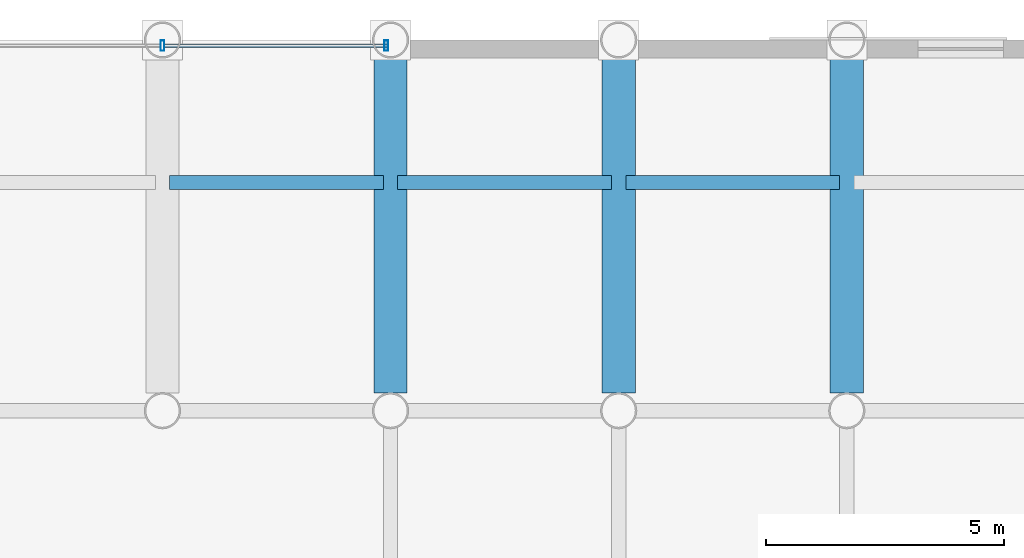
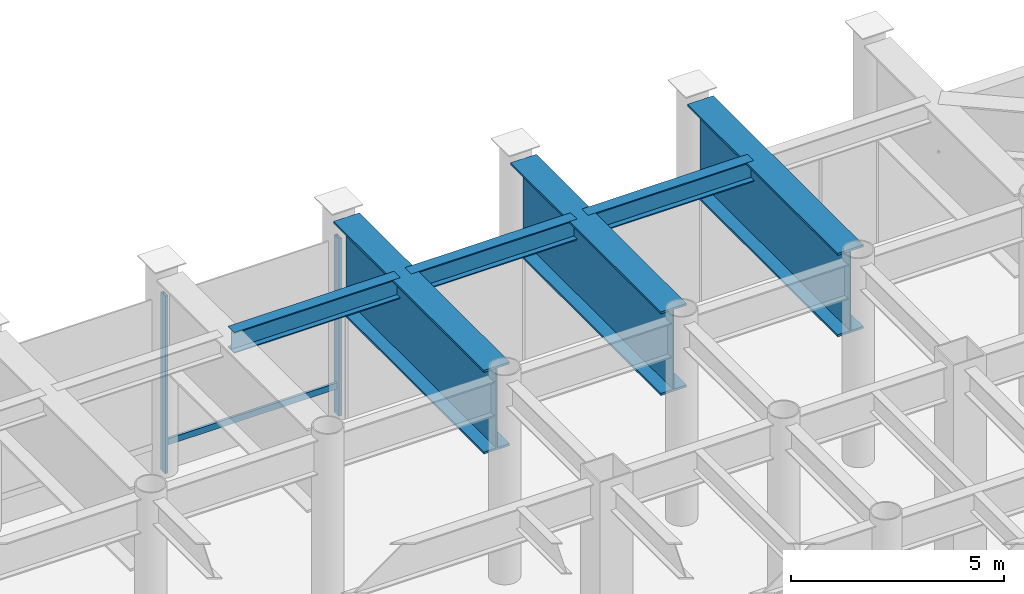
# One storey, part 13 of 26: 6 beams, 3 members, 1 element without a shape of its own.
"""IFC4 building model written with IfcOpenShell, lengths in metres."""

from ifc_helpers import new_model, si_unit, direction, frame, origin, origin_2d, place, context, subcontext, project, spatial, hollow_rectangle, i_section, extrude, material, layer, layer_set, material_profile, profile_set, type_object, element, aggregate, save


model = new_model("IFC4")

# Units and contexts
model_context = context("Model", 3, precision=1e-05, world=origin(), true_north=direction((0.0, 1.0)))
body_context = subcontext(model_context, "Body", "Model", "MODEL_VIEW")
ifc_project = project(units=[si_unit("LENGTHUNIT", "METRE"), si_unit("AREAUNIT", "SQUARE_METRE"), si_unit("VOLUMEUNIT", "CUBIC_METRE"), si_unit("PLANEANGLEUNIT", "RADIAN"), si_unit("MASSUNIT", "GRAM", prefix="KILO")], contexts=[model_context])

# Site, building, storey
site_placement = place(None, origin())
site = spatial("IfcSite", under=ifc_project, at=site_placement, CompositionType="ELEMENT")
building_placement = place(site_placement, origin())
building = spatial("IfcBuilding", under=site, at=building_placement, Name="Kallvorn Hotel Tower", CompositionType="ELEMENT")
storey_placement = place(building_placement, frame((0.0, 0.0, 6.0)))
storey = spatial("IfcBuildingStorey", under=building, at=storey_placement, Name="L01", CompositionType="ELEMENT", Elevation=6.0)

# Beams
ifc_material_1 = material(Name="Structural steel S355JR", Category="steel")
ifc_material_profile_1 = material_profile(ifc_material_1, i_section(OverallWidth=0.300048828125, OverallDepth=0.60009765625, WebThickness=0.015380859375, FlangeThickness=0.030029296875, at=origin_2d()), Name="HE 600 B")
ifc_profile_set_1 = profile_set([ifc_material_profile_1], Name="Structural steel S355JR")
beam_type_1 = type_object("IfcBeamType", Name="BM_HE600B", PredefinedType="SPANDREL", material=ifc_profile_set_1)
for number, where, z_axis, x_axis, name in (
    (1, (9.75, 24.0, 5.47998046875), (1.0, 0.0, 0.0), (0.0, 1.0, 0.0), "L02 Perimeter Spandrel 236"),
    (2, (14.550048828125, 24.0, 5.47998046875), (1.0, 0.0, 0.0), (0.0, 1.0, 0.0), "L02 Perimeter Spandrel 237"),
    (3, (19.35009765625, 24.0, 5.47998046875), (1.0, 0.0, 0.0), (0.0, 1.0, 0.0), "L02 Perimeter Spandrel 238"),
):
    element("IfcBeam", number, at=place(storey_placement, frame(where, z_axis=z_axis, x_axis=x_axis)), inside=storey, type_object=beam_type_1, Name=name, PredefinedType="SPANDREL", context=body_context, shape_type="SweptSolid", body=[
        extrude(i_section(OverallWidth=0.300048828125, OverallDepth=0.60009765625, WebThickness=0.015380859375, FlangeThickness=0.030029296875, at=origin_2d()), origin(), (0.0, 0.0, 1.0), 4.5),
    ])
ifc_material_2 = material(Name="Structural steel S355JR", Category="steel")
ifc_material_profile_2 = material_profile(ifc_material_2, i_section(OverallWidth=0.699951171875, OverallDepth=2.39990234375, WebThickness=0.031982421875, FlangeThickness=0.06005859375, at=origin_2d()), Name="PG 2400x700x32x60")
ifc_profile_set_2 = profile_set([ifc_material_profile_2], Name="Structural steel S355JR")
beam_type_2 = type_object("IfcBeamType", Name="BM_PG_2400", PredefinedType="BEAM", material=ifc_profile_set_2)
for number, where, z_axis, x_axis, name in (
    (4, (14.39990234375, 19.571044921875, 4.580078125), (0.0, 1.0, 0.0), (-1.0, 0.0, 0.0), "L02 Setback Transfer Girder 29"),
    (5, (19.199951171875, 19.571044921875, 4.580078125), (0.0, 1.0, 0.0), (-1.0, 0.0, 0.0), "L02 Setback Transfer Girder 31"),
    (6, (24.0, 19.571044921875, 4.580078125), (0.0, 1.0, 0.0), (-1.0, 0.0, 0.0), "L02 Setback Transfer Girder 33"),
):
    element("IfcBeam", number, at=place(storey_placement, frame(where, z_axis=z_axis, x_axis=x_axis)), inside=storey, type_object=beam_type_2, Name=name, PredefinedType="BEAM", context=body_context, shape_type="SweptSolid", body=[
        extrude(i_section(OverallWidth=0.699951171875, OverallDepth=2.39990234375, WebThickness=0.031982421875, FlangeThickness=0.06005859375, at=origin_2d()), origin(), (0.0, 0.0, 1.0), 7.057861328125),
    ])

# Curtain wall, members
ifc_material_3 = material(Name="Thermally broken black-anodised aluminium AA 6063-T6", Category="aluminium")
ifc_layer = layer(ifc_material_3, 0.239990234375)
ifc_layer_set = layer_set([ifc_layer], Name="CW_SYS_1_PODIUM_LOW")
curtain_wall_type = type_object("IfcCurtainWallType", Name="CW_SYS_1_PODIUM_LOW", PredefinedType="USERDEFINED", material=ifc_layer_set)
curtain_wall_placement = place(storey_placement, origin())
curtain_wall = element("IfcCurtainWall", 7, at=curtain_wall_placement, inside=storey, type_object=curtain_wall_type, Name="L01 Dark-Glass Curtain Wall CW-L01-N3", ObjectType="UNITISED CURTAIN WALL", PredefinedType="USERDEFINED")
ifc_material_4 = material(Name="Thermally broken black-anodised aluminium AA 6063-T6", Category="aluminium")
ifc_material_profile_3 = material_profile(ifc_material_4, hollow_rectangle(XDim=0.080078125, YDim=0.219970703125, WallThickness=0.0048828125, at=origin_2d()), Name="MUL 220x80")
ifc_profile_set_3 = profile_set([ifc_material_profile_3], Name="Thermally broken black-anodised aluminium AA 6063-T6")
member_type_1 = type_object("IfcMemberType", Name="CW_MULLION_220x80", PredefinedType="MULLION", material=ifc_profile_set_3)
member_1_placement = place(storey_placement, frame((9.60009765625, 26.8798828125, 0.02001953125), z_axis=(0.0, 0.0, 1.0), x_axis=(1.0, 0.0, 0.0)))
member_1 = element("IfcMember", 8, at=member_1_placement, type_object=member_type_1, Name="CW-L01-N3 Mullion 01", PredefinedType="MULLION", context=body_context, shape_type="SweptSolid", body=[
    extrude(hollow_rectangle(XDim=0.080078125, YDim=0.219970703125, WallThickness=0.0048828125, at=origin_2d()), origin(), (0.0, 0.0, 1.0), 5.090087890625),
])
member_2_placement = place(storey_placement, frame((14.31005859375, 26.8798828125, 0.02001953125), z_axis=(0.0, 0.0, 1.0), x_axis=(1.0, 0.0, 0.0)))
member_2 = element("IfcMember", 9, at=member_2_placement, type_object=member_type_1, Name="CW-L01-N3 Mullion 02", PredefinedType="MULLION", context=body_context, shape_type="SweptSolid", body=[
    extrude(hollow_rectangle(XDim=0.080078125, YDim=0.219970703125, WallThickness=0.0048828125, at=origin_2d()), origin(), (0.0, 0.0, 1.0), 5.090087890625),
])
ifc_material_5 = material(Name="Thermally broken black-anodised aluminium AA 6063-T6", Category="aluminium")
ifc_material_profile_4 = material_profile(ifc_material_5, hollow_rectangle(XDim=0.070068359375, YDim=0.179931640625, WallThickness=0.00390625, at=origin_2d()), Name="TRN 180x70")
ifc_profile_set_4 = profile_set([ifc_material_profile_4], Name="Thermally broken black-anodised aluminium AA 6063-T6")
member_type_2 = type_object("IfcMemberType", Name="CW_TRANSOM_180x70", PredefinedType="USERDEFINED", material=ifc_profile_set_4)
member_3_placement = place(storey_placement, frame((9.639892578125, 26.8798828125, 0.85009765625), z_axis=(1.0, 0.0, 0.0), x_axis=(0.0, 1.0, 0.0)))
member_3 = element("IfcMember", 10, at=member_3_placement, type_object=member_type_2, Name="CW-L01-N3 Transom 01M", ObjectType="TRANSOM", PredefinedType="USERDEFINED", context=body_context, shape_type="SweptSolid", body=[
    extrude(hollow_rectangle(XDim=0.070068359375, YDim=0.179931640625, WallThickness=0.00390625, at=origin_2d()), origin(), (0.0, 0.0, 1.0), 4.670166015625),
])
aggregate(curtain_wall, [member_1, member_2, member_3])

save(model, "model.ifc")
